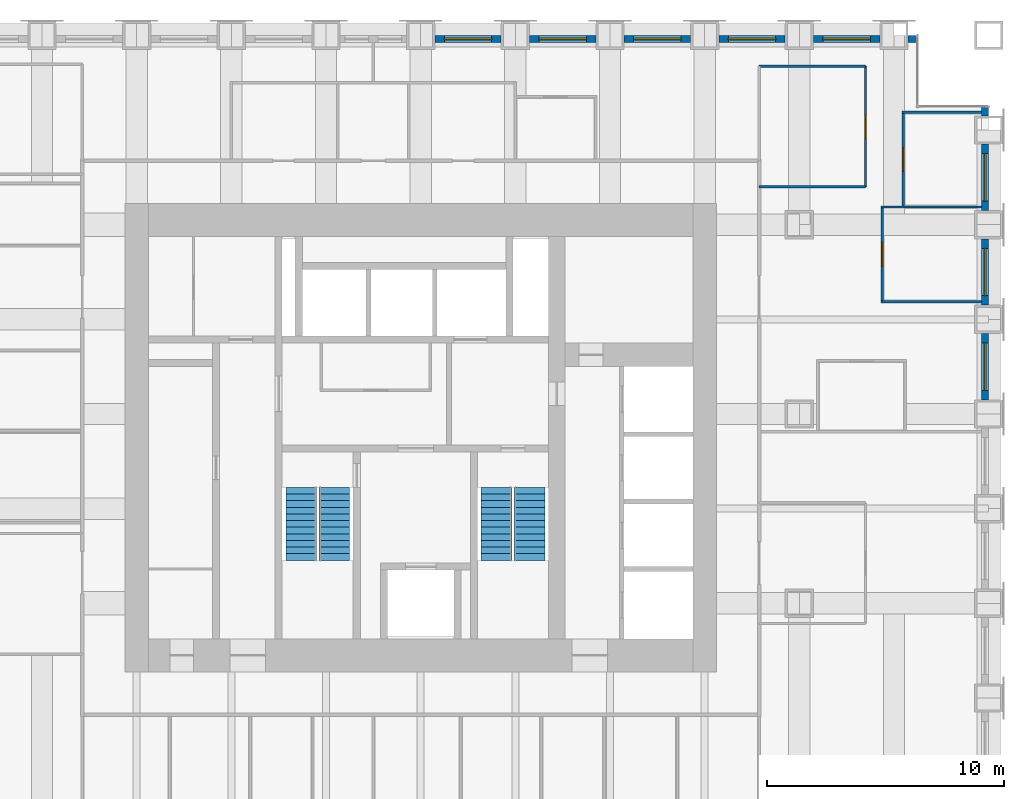
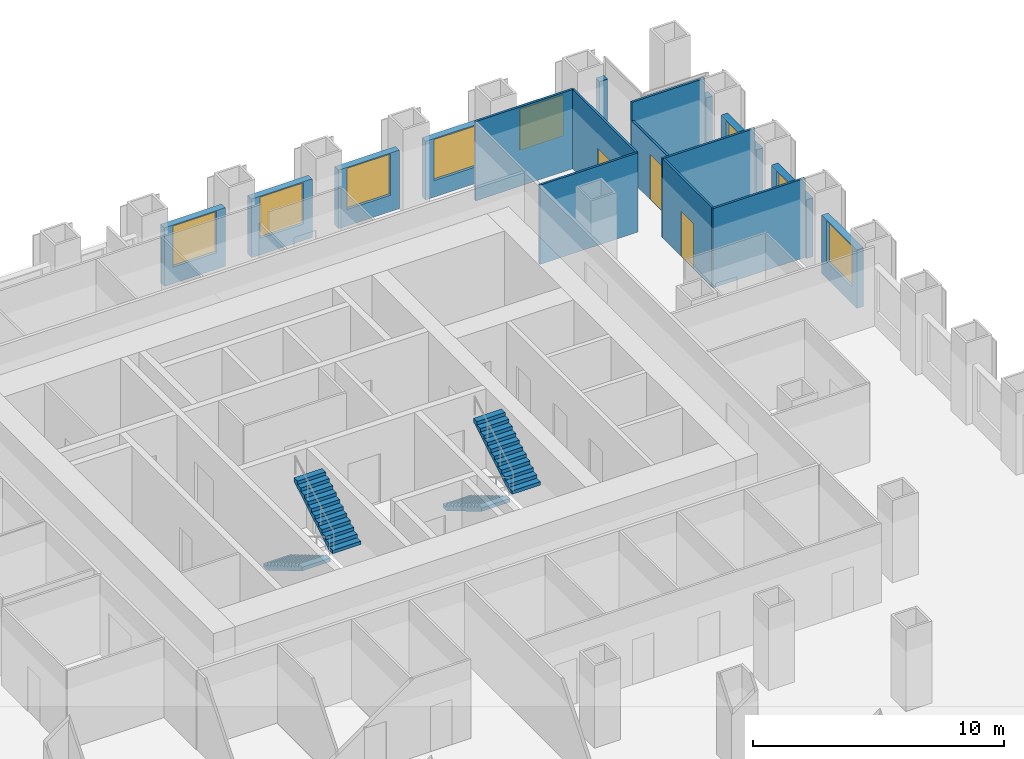
# One storey, part 13 of 15: 18 walls, 8 windows, 4 stair flights, 3 doors, 11 openings, 2 elements without a shape of their own.
"""IFC4 building model written with IfcOpenShell, lengths in metres."""

from ifc_helpers import new_model, si_unit, direction, frame, frame_2d, origin, place, context, subcontext, project, spatial, polyline, rectangle, outline, extrude, material, layer, layer_set, type_object, element, fill, aggregate, save


model = new_model("IFC4")

# Units and contexts
model_context = context("Model", 3, precision=1e-05, world=origin(), true_north=direction((0.0, 1.0)))
body_context = subcontext(model_context, "Body", "Model", "MODEL_VIEW")
ifc_project = project(units=[si_unit("LENGTHUNIT", "METRE"), si_unit("AREAUNIT", "SQUARE_METRE"), si_unit("VOLUMEUNIT", "CUBIC_METRE"), si_unit("PLANEANGLEUNIT", "RADIAN"), si_unit("MASSUNIT", "GRAM", prefix="KILO")], contexts=[model_context])

# Site, building, storey
site_placement = place(None, origin())
site = spatial("IfcSite", under=ifc_project, at=site_placement, CompositionType="ELEMENT")
building_placement = place(site_placement, origin())
building = spatial("IfcBuilding", under=site, at=building_placement, Name="Rimbunsela Tower", CompositionType="ELEMENT")
storey_placement = place(building_placement, frame((0.0, 0.0, 23.0)))
storey = spatial("IfcBuildingStorey", under=building, at=storey_placement, Name="L05", CompositionType="ELEMENT", Elevation=23.0)

# Walls
ifc_material_1 = material(Name="Gypsum board on steel studs", Category="steel")
ifc_layer_1 = layer(ifc_material_1, 0.10009765625)
ifc_layer_set_1 = layer_set([ifc_layer_1], Name="Office partition 100")
wall_type_1 = type_object("IfcWallType", Name="Office partition 100", PredefinedType="PARTITIONING", material=ifc_layer_set_1)
for number, where, z_axis, x_axis, name in (
    (1, (49.449951171875, 32.75, 0.0), (0.0, 0.0, 1.0), (1.0, 0.0, 0.0), "Office partition"),
    (2, (49.449951171875, 36.75, 0.0), (0.0, 0.0, 1.0), (1.0, 0.0, 0.0), "Office partition"),
):
    element("IfcWall", number, at=place(storey_placement, frame(where, z_axis=z_axis, x_axis=x_axis)), inside=storey, type_object=wall_type_1, Name=name, PredefinedType="PARTITIONING", context=body_context, shape_type="SweptSolid", body=[
        extrude(rectangle(XDim=4.25, YDim=0.10009765625, at=frame_2d((2.125, 0.0))), origin(), (0.0, 0.0, 1.0), 3.85009765625),
    ])
wall_1_placement = place(storey_placement, frame((50.35009765625, 40.75, 0.0), z_axis=(0.0, 0.0, 1.0), x_axis=(1.0, 0.0, 0.0)))
element("IfcWall", 3, at=wall_1_placement, inside=storey, type_object=wall_type_1, Name="Office partition", PredefinedType="PARTITIONING", context=body_context, shape_type="SweptSolid", body=[
    extrude(rectangle(XDim=3.349853515625, YDim=0.10009765625, at=frame_2d((1.6748046875, 0.0))), origin(), (0.0, 0.0, 1.0), 3.85009765625),
])

# Wall, opening, door
wall_2_placement = place(storey_placement, frame((49.5, 32.800048828125, 0.0), z_axis=(0.0, 0.0, 1.0), x_axis=(0.0, 1.0, 0.0)))
wall_2 = element("IfcWall", 4, at=wall_2_placement, inside=storey, type_object=wall_type_1, Name="Office partition", PredefinedType="PARTITIONING", context=body_context, shape_type="SweptSolid", body=[
    extrude(rectangle(XDim=3.89990234375, YDim=0.10009765625, at=frame_2d((1.949951171875, 0.0))), origin(), (0.0, 0.0, 1.0), 3.85009765625),
])
opening_1_placement = place(wall_2_placement, frame((1.449951171875, 0.0, 0.0)))
opening_1 = element("IfcOpeningElement", 5, at=opening_1_placement, cuts=wall_2, Name="Opening D16", PredefinedType="OPENING", context=body_context, shape_type="SweptSolid", body=[
    extrude(rectangle(XDim=1.0, YDim=2.199951171875, at=frame_2d((0.5, 1.10009765625))), frame((0.0, 0.06005859375, 0.0), z_axis=(0.0, -1.0, 0.0), x_axis=(1.0, 0.0, 0.0)), (0.0, 0.0, 1.0), 0.1201171875),
])
ifc_material_2 = material(Name="Timber door", Category="wood")
door_type_1 = type_object("IfcDoorType", Name="Office door 1000", OperationType="SINGLE_SWING_LEFT", PredefinedType="DOOR", material=ifc_material_2)
door_1_placement = place(opening_1_placement, origin())
door_1 = element("IfcDoor", 6, at=door_1_placement, inside=storey, type_object=door_type_1, Name="Office door", OperationType="SINGLE_SWING_LEFT", OverallHeight=2.199951171875, OverallWidth=1.0, PredefinedType="DOOR", context=body_context, shape_type="SweptSolid", body=[
    extrude(rectangle(XDim=1.0, YDim=2.199951171875, at=frame_2d((0.5, 1.10009765625))), frame((0.0, 0.02490234375, 0.0), z_axis=(0.0, -1.0, 0.0), x_axis=(1.0, 0.0, 0.0)), (0.0, 0.0, 1.0), 0.050048828125),
])
fill(opening_1, door_1)

wall_3_placement = place(storey_placement, frame((50.39990234375, 36.800048828125, 0.0), z_axis=(0.0, 0.0, 1.0), x_axis=(0.0, 1.0, 0.0)))
wall_3 = element("IfcWall", 7, at=wall_3_placement, inside=storey, type_object=wall_type_1, Name="Office partition", PredefinedType="PARTITIONING", context=body_context, shape_type="SweptSolid", body=[
    extrude(rectangle(XDim=3.949951171875, YDim=0.10009765625, at=frame_2d((1.97509765625, 0.0))), origin(), (0.0, 0.0, 1.0), 2.949951171875),
])
opening_2_placement = place(wall_3_placement, frame((1.449951171875, 0.0, 0.0)))
opening_2 = element("IfcOpeningElement", 8, at=opening_2_placement, cuts=wall_3, Name="Opening D16", PredefinedType="OPENING", context=body_context, shape_type="SweptSolid", body=[
    extrude(rectangle(XDim=1.0, YDim=2.199951171875, at=frame_2d((0.5, 1.10009765625))), frame((0.0, 0.06005859375, 0.0), z_axis=(0.0, -1.0, 0.0), x_axis=(1.0, 0.0, 0.0)), (0.0, 0.0, 1.0), 0.1201171875),
])
door_2_placement = place(opening_2_placement, origin())
door_2 = element("IfcDoor", 9, at=door_2_placement, inside=storey, type_object=door_type_1, Name="Office door", OperationType="SINGLE_SWING_LEFT", OverallHeight=2.199951171875, OverallWidth=1.0, PredefinedType="DOOR", context=body_context, shape_type="SweptSolid", body=[
    extrude(rectangle(XDim=1.0, YDim=2.199951171875, at=frame_2d((0.5, 1.10009765625))), frame((0.0, 0.02490234375, 0.0), z_axis=(0.0, -1.0, 0.0), x_axis=(1.0, 0.0, 0.0)), (0.0, 0.0, 1.0), 0.050048828125),
])
fill(opening_2, door_2)

# Wall
wall_4_placement = place(storey_placement, frame((44.300048828125, 37.60009765625, 0.0), z_axis=(0.0, 0.0, 1.0), x_axis=(1.0, 0.0, 0.0)))
element("IfcWall", 10, at=wall_4_placement, inside=storey, type_object=wall_type_1, Name="Office partition", PredefinedType="PARTITIONING", context=body_context, shape_type="SweptSolid", body=[
    extrude(rectangle(XDim=4.5, YDim=0.10009765625, at=frame_2d((2.25, 0.0))), origin(), (0.0, 0.0, 1.0), 3.85009765625),
])

# Wall, opening, door
wall_5_placement = place(storey_placement, frame((48.800048828125, 37.60009765625, 0.0), z_axis=(0.0, 0.0, 1.0), x_axis=(0.0, 1.0, 0.0)))
wall_5 = element("IfcWall", 11, at=wall_5_placement, inside=storey, type_object=wall_type_1, Name="Office partition", PredefinedType="PARTITIONING", context=body_context, shape_type="SweptSolid", body=[
    extrude(rectangle(XDim=5.099853515625, YDim=0.10009765625, at=frame_2d((2.5498046875, 0.0))), origin(), (0.0, 0.0, 1.0), 3.85009765625),
])
opening_3_placement = place(wall_5_placement, frame((2.050048828125, 0.0, 0.0)))
opening_3 = element("IfcOpeningElement", 12, at=opening_3_placement, cuts=wall_5, Name="Opening D17", PredefinedType="OPENING", context=body_context, shape_type="SweptSolid", body=[
    extrude(rectangle(XDim=1.0, YDim=2.199951171875, at=frame_2d((0.5, 1.10009765625))), frame((0.0, 0.06005859375, 0.0), z_axis=(0.0, -1.0, 0.0), x_axis=(1.0, 0.0, 0.0)), (0.0, 0.0, 1.0), 0.1201171875),
])
ifc_material_3 = material(Name="Glazed aluminium door", Category="aluminium")
door_type_2 = type_object("IfcDoorType", Name="Meeting room door 1000 glazed", OperationType="SINGLE_SWING_RIGHT", PredefinedType="DOOR", material=ifc_material_3)
door_3_placement = place(opening_3_placement, origin())
door_3 = element("IfcDoor", 13, at=door_3_placement, inside=storey, type_object=door_type_2, Name="Reception door", OperationType="SINGLE_SWING_RIGHT", OverallHeight=2.199951171875, OverallWidth=1.0, PredefinedType="DOOR", context=body_context, shape_type="SweptSolid", body=[
    extrude(rectangle(XDim=1.0, YDim=2.199951171875, at=frame_2d((0.5, 1.10009765625))), frame((0.0, 0.02490234375, 0.0), z_axis=(0.0, -1.0, 0.0), x_axis=(1.0, 0.0, 0.0)), (0.0, 0.0, 1.0), 0.050048828125),
])
fill(opening_3, door_3)

# Wall
wall_6_placement = place(storey_placement, frame((48.800048828125, 42.699951171875, 0.0), z_axis=(0.0, 0.0, 1.0), x_axis=(-1.0, 0.0, 0.0)))
element("IfcWall", 14, at=wall_6_placement, inside=storey, type_object=wall_type_1, Name="Office partition", PredefinedType="PARTITIONING", context=body_context, shape_type="SweptSolid", body=[
    extrude(rectangle(XDim=4.5, YDim=0.10009765625, at=frame_2d((2.25, 0.0))), origin(), (0.0, 0.0, 1.0), 3.85009765625),
])

# Wall, opening, window
ifc_material_4 = material(Name="Precast concrete fc' 35 MPa", Category="concrete")
ifc_layer_2 = layer(ifc_material_4, 0.300048828125)
ifc_layer_set_2 = layer_set([ifc_layer_2], Name="Precast concrete fc' 35 MPa")
wall_type_2 = type_object("IfcWallType", Name="Precast facade panel 300", PredefinedType="ELEMENTEDWALL", material=ifc_layer_set_2)
wall_7_placement = place(storey_placement, frame((53.85009765625, 28.60009765625, 0.0), z_axis=(0.0, 0.0, 1.0), x_axis=(0.0, 1.0, 0.0)))
wall_7 = element("IfcWall", 15, at=wall_7_placement, inside=storey, type_object=wall_type_2, Name="Facade panel E L05", PredefinedType="ELEMENTEDWALL", context=body_context, shape_type="SweptSolid", body=[
    extrude(rectangle(XDim=2.7998046875, YDim=0.300048828125, at=frame_2d((1.39990234375, 0.0))), origin(), (0.0, 0.0, 1.0), 2.85009765625),
])
opening_4_placement = place(wall_7_placement, frame((0.39990234375, 0.0, 0.800048828125)))
opening_4 = element("IfcOpeningElement", 16, at=opening_4_placement, cuts=wall_7, Name="Opening W1", PredefinedType="OPENING", context=body_context, shape_type="SweptSolid", body=[
    extrude(rectangle(XDim=2.0, YDim=2.0, at=frame_2d((1.0, 1.0))), frame((0.0, 0.159912109375, 0.0), z_axis=(0.0, -1.0, 0.0), x_axis=(1.0, 0.0, 0.0)), (0.0, 0.0, 1.0), 0.320068359375),
])
ifc_material_5 = material(Name="Clear glass in aluminium frame", Category="aluminium")
window_type = type_object("IfcWindowType", Name="Window W1 2000x2000", PartitioningType="DOUBLE_PANEL_VERTICAL", PredefinedType="WINDOW", material=ifc_material_5)
window_1_placement = place(opening_4_placement, origin())
window_1 = element("IfcWindow", 17, at=window_1_placement, inside=storey, type_object=window_type, Name="Window L05", OverallHeight=2.0, OverallWidth=2.0, PartitioningType="SINGLE_PANEL", PredefinedType="WINDOW", context=body_context, shape_type="SweptSolid", body=[
    extrude(rectangle(XDim=2.0, YDim=2.0, at=frame_2d((1.0, 1.0))), frame((0.0, 0.030029296875, 0.0), z_axis=(0.0, -1.0, 0.0), x_axis=(1.0, 0.0, 0.0)), (0.0, 0.0, 1.0), 0.06005859375),
])
fill(opening_4, window_1)

wall_8_placement = place(storey_placement, frame((53.85009765625, 32.60009765625, 0.0), z_axis=(0.0, 0.0, 1.0), x_axis=(0.0, 1.0, 0.0)))
wall_8 = element("IfcWall", 18, at=wall_8_placement, inside=storey, type_object=wall_type_2, Name="Facade panel E L05", PredefinedType="ELEMENTEDWALL", context=body_context, shape_type="SweptSolid", body=[
    extrude(rectangle(XDim=2.7998046875, YDim=0.300048828125, at=frame_2d((1.39990234375, 0.0))), origin(), (0.0, 0.0, 1.0), 2.85009765625),
])
opening_5_placement = place(wall_8_placement, frame((0.39990234375, 0.0, 0.800048828125)))
opening_5 = element("IfcOpeningElement", 19, at=opening_5_placement, cuts=wall_8, Name="Opening W1", PredefinedType="OPENING", context=body_context, shape_type="SweptSolid", body=[
    extrude(rectangle(XDim=2.0, YDim=2.0, at=frame_2d((1.0, 1.0))), frame((0.0, 0.159912109375, 0.0), z_axis=(0.0, -1.0, 0.0), x_axis=(1.0, 0.0, 0.0)), (0.0, 0.0, 1.0), 0.320068359375),
])
window_2_placement = place(opening_5_placement, origin())
window_2 = element("IfcWindow", 20, at=window_2_placement, inside=storey, type_object=window_type, Name="Window L05", OverallHeight=2.0, OverallWidth=2.0, PartitioningType="SINGLE_PANEL", PredefinedType="WINDOW", context=body_context, shape_type="SweptSolid", body=[
    extrude(rectangle(XDim=2.0, YDim=2.0, at=frame_2d((1.0, 1.0))), frame((0.0, 0.030029296875, 0.0), z_axis=(0.0, -1.0, 0.0), x_axis=(1.0, 0.0, 0.0)), (0.0, 0.0, 1.0), 0.06005859375),
])
fill(opening_5, window_2)

wall_9_placement = place(storey_placement, frame((53.85009765625, 36.60009765625, 0.0), z_axis=(0.0, 0.0, 1.0), x_axis=(0.0, 1.0, 0.0)))
wall_9 = element("IfcWall", 21, at=wall_9_placement, inside=storey, type_object=wall_type_2, Name="Facade panel E L05", PredefinedType="ELEMENTEDWALL", context=body_context, shape_type="SweptSolid", body=[
    extrude(rectangle(XDim=2.7998046875, YDim=0.300048828125, at=frame_2d((1.39990234375, 0.0))), origin(), (0.0, 0.0, 1.0), 2.85009765625),
])
opening_6_placement = place(wall_9_placement, frame((0.39990234375, 0.0, 0.800048828125)))
opening_6 = element("IfcOpeningElement", 22, at=opening_6_placement, cuts=wall_9, Name="Opening W1", PredefinedType="OPENING", context=body_context, shape_type="SweptSolid", body=[
    extrude(rectangle(XDim=2.0, YDim=2.0, at=frame_2d((1.0, 1.0))), frame((0.0, 0.159912109375, 0.0), z_axis=(0.0, -1.0, 0.0), x_axis=(1.0, 0.0, 0.0)), (0.0, 0.0, 1.0), 0.320068359375),
])
window_3_placement = place(opening_6_placement, origin())
window_3 = element("IfcWindow", 23, at=window_3_placement, inside=storey, type_object=window_type, Name="Window L05", OverallHeight=2.0, OverallWidth=2.0, PartitioningType="SINGLE_PANEL", PredefinedType="WINDOW", context=body_context, shape_type="SweptSolid", body=[
    extrude(rectangle(XDim=2.0, YDim=2.0, at=frame_2d((1.0, 1.0))), frame((0.0, 0.030029296875, 0.0), z_axis=(0.0, -1.0, 0.0), x_axis=(1.0, 0.0, 0.0)), (0.0, 0.0, 1.0), 0.06005859375),
])
fill(opening_6, window_3)

# Wall
wall_10_placement = place(storey_placement, frame((53.85009765625, 40.60009765625, 0.0), z_axis=(0.0, 0.0, 1.0), x_axis=(0.0, 1.0, 0.0)))
element("IfcWall", 24, at=wall_10_placement, inside=storey, type_object=wall_type_2, Name="Facade panel E L05", PredefinedType="ELEMENTEDWALL", context=body_context, shape_type="SweptSolid", body=[
    extrude(rectangle(XDim=0.369873046875, YDim=0.300048828125, at=frame_2d((0.18505859375, 0.0))), origin(), (0.0, 0.0, 1.0), 2.949951171875),
])

# Wall, opening, window
wall_11_placement = place(storey_placement, frame((33.39990234375, 43.85009765625, 0.0), z_axis=(0.0, 0.0, 1.0), x_axis=(-1.0, 0.0, 0.0)))
wall_11 = element("IfcWall", 25, at=wall_11_placement, inside=storey, type_object=wall_type_2, Name="Facade panel N L05", PredefinedType="ELEMENTEDWALL", context=body_context, shape_type="SweptSolid", body=[
    extrude(rectangle(XDim=2.7998046875, YDim=0.300048828125, at=frame_2d((1.39990234375, 0.0))), origin(), (0.0, 0.0, 1.0), 2.85009765625),
])
opening_7_placement = place(wall_11_placement, frame((0.39990234375, 0.0, 0.800048828125)))
opening_7 = element("IfcOpeningElement", 26, at=opening_7_placement, cuts=wall_11, Name="Opening W1", PredefinedType="OPENING", context=body_context, shape_type="SweptSolid", body=[
    extrude(rectangle(XDim=2.0, YDim=2.0, at=frame_2d((1.0, 1.0))), frame((0.0, 0.159912109375, 0.0), z_axis=(0.0, -1.0, 0.0), x_axis=(1.0, 0.0, 0.0)), (0.0, 0.0, 1.0), 0.320068359375),
])
window_4_placement = place(opening_7_placement, origin())
window_4 = element("IfcWindow", 27, at=window_4_placement, inside=storey, type_object=window_type, Name="Window L05", OverallHeight=2.0, OverallWidth=2.0, PartitioningType="SINGLE_PANEL", PredefinedType="WINDOW", context=body_context, shape_type="SweptSolid", body=[
    extrude(rectangle(XDim=2.0, YDim=2.0, at=frame_2d((1.0, 1.0))), frame((0.0, 0.030029296875, 0.0), z_axis=(0.0, -1.0, 0.0), x_axis=(1.0, 0.0, 0.0)), (0.0, 0.0, 1.0), 0.06005859375),
])
fill(opening_7, window_4)

wall_12_placement = place(storey_placement, frame((37.39990234375, 43.85009765625, 0.0), z_axis=(0.0, 0.0, 1.0), x_axis=(-1.0, 0.0, 0.0)))
wall_12 = element("IfcWall", 28, at=wall_12_placement, inside=storey, type_object=wall_type_2, Name="Facade panel N L05", PredefinedType="ELEMENTEDWALL", context=body_context, shape_type="SweptSolid", body=[
    extrude(rectangle(XDim=2.7998046875, YDim=0.300048828125, at=frame_2d((1.39990234375, 0.0))), origin(), (0.0, 0.0, 1.0), 2.85009765625),
])
opening_8_placement = place(wall_12_placement, frame((0.39990234375, 0.0, 0.800048828125)))
opening_8 = element("IfcOpeningElement", 29, at=opening_8_placement, cuts=wall_12, Name="Opening W1", PredefinedType="OPENING", context=body_context, shape_type="SweptSolid", body=[
    extrude(rectangle(XDim=2.0, YDim=2.0, at=frame_2d((1.0, 1.0))), frame((0.0, 0.159912109375, 0.0), z_axis=(0.0, -1.0, 0.0), x_axis=(1.0, 0.0, 0.0)), (0.0, 0.0, 1.0), 0.320068359375),
])
window_5_placement = place(opening_8_placement, origin())
window_5 = element("IfcWindow", 30, at=window_5_placement, inside=storey, type_object=window_type, Name="Window L05", OverallHeight=2.0, OverallWidth=2.0, PartitioningType="SINGLE_PANEL", PredefinedType="WINDOW", context=body_context, shape_type="SweptSolid", body=[
    extrude(rectangle(XDim=2.0, YDim=2.0, at=frame_2d((1.0, 1.0))), frame((0.0, 0.030029296875, 0.0), z_axis=(0.0, -1.0, 0.0), x_axis=(1.0, 0.0, 0.0)), (0.0, 0.0, 1.0), 0.06005859375),
])
fill(opening_8, window_5)

wall_13_placement = place(storey_placement, frame((41.39990234375, 43.85009765625, 0.0), z_axis=(0.0, 0.0, 1.0), x_axis=(-1.0, 0.0, 0.0)))
wall_13 = element("IfcWall", 31, at=wall_13_placement, inside=storey, type_object=wall_type_2, Name="Facade panel N L05", PredefinedType="ELEMENTEDWALL", context=body_context, shape_type="SweptSolid", body=[
    extrude(rectangle(XDim=2.7998046875, YDim=0.300048828125, at=frame_2d((1.39990234375, 0.0))), origin(), (0.0, 0.0, 1.0), 2.85009765625),
])
opening_9_placement = place(wall_13_placement, frame((0.39990234375, 0.0, 0.800048828125)))
opening_9 = element("IfcOpeningElement", 32, at=opening_9_placement, cuts=wall_13, Name="Opening W1", PredefinedType="OPENING", context=body_context, shape_type="SweptSolid", body=[
    extrude(rectangle(XDim=2.0, YDim=2.0, at=frame_2d((1.0, 1.0))), frame((0.0, 0.159912109375, 0.0), z_axis=(0.0, -1.0, 0.0), x_axis=(1.0, 0.0, 0.0)), (0.0, 0.0, 1.0), 0.320068359375),
])
window_6_placement = place(opening_9_placement, origin())
window_6 = element("IfcWindow", 33, at=window_6_placement, inside=storey, type_object=window_type, Name="Window L05", OverallHeight=2.0, OverallWidth=2.0, PartitioningType="SINGLE_PANEL", PredefinedType="WINDOW", context=body_context, shape_type="SweptSolid", body=[
    extrude(rectangle(XDim=2.0, YDim=2.0, at=frame_2d((1.0, 1.0))), frame((0.0, 0.030029296875, 0.0), z_axis=(0.0, -1.0, 0.0), x_axis=(1.0, 0.0, 0.0)), (0.0, 0.0, 1.0), 0.06005859375),
])
fill(opening_9, window_6)

wall_14_placement = place(storey_placement, frame((45.39990234375, 43.85009765625, 0.0), z_axis=(0.0, 0.0, 1.0), x_axis=(-1.0, 0.0, 0.0)))
wall_14 = element("IfcWall", 34, at=wall_14_placement, inside=storey, type_object=wall_type_2, Name="Facade panel N L05", PredefinedType="ELEMENTEDWALL", context=body_context, shape_type="SweptSolid", body=[
    extrude(rectangle(XDim=2.7998046875, YDim=0.300048828125, at=frame_2d((1.39990234375, 0.0))), origin(), (0.0, 0.0, 1.0), 2.85009765625),
])
opening_10_placement = place(wall_14_placement, frame((0.39990234375, 0.0, 0.800048828125)))
opening_10 = element("IfcOpeningElement", 35, at=opening_10_placement, cuts=wall_14, Name="Opening W1", PredefinedType="OPENING", context=body_context, shape_type="SweptSolid", body=[
    extrude(rectangle(XDim=2.0, YDim=2.0, at=frame_2d((1.0, 1.0))), frame((0.0, 0.159912109375, 0.0), z_axis=(0.0, -1.0, 0.0), x_axis=(1.0, 0.0, 0.0)), (0.0, 0.0, 1.0), 0.320068359375),
])
window_7_placement = place(opening_10_placement, origin())
window_7 = element("IfcWindow", 36, at=window_7_placement, inside=storey, type_object=window_type, Name="Window L05", OverallHeight=2.0, OverallWidth=2.0, PartitioningType="SINGLE_PANEL", PredefinedType="WINDOW", context=body_context, shape_type="SweptSolid", body=[
    extrude(rectangle(XDim=2.0, YDim=2.0, at=frame_2d((1.0, 1.0))), frame((0.0, 0.030029296875, 0.0), z_axis=(0.0, -1.0, 0.0), x_axis=(1.0, 0.0, 0.0)), (0.0, 0.0, 1.0), 0.06005859375),
])
fill(opening_10, window_7)

wall_15_placement = place(storey_placement, frame((49.39990234375, 43.85009765625, 0.0), z_axis=(0.0, 0.0, 1.0), x_axis=(-1.0, 0.0, 0.0)))
wall_15 = element("IfcWall", 37, at=wall_15_placement, inside=storey, type_object=wall_type_2, Name="Facade panel N L05", PredefinedType="ELEMENTEDWALL", context=body_context, shape_type="SweptSolid", body=[
    extrude(rectangle(XDim=2.7998046875, YDim=0.300048828125, at=frame_2d((1.39990234375, 0.0))), origin(), (0.0, 0.0, 1.0), 2.85009765625),
])
opening_11_placement = place(wall_15_placement, frame((0.39990234375, 0.0, 0.800048828125)))
opening_11 = element("IfcOpeningElement", 38, at=opening_11_placement, cuts=wall_15, Name="Opening W1", PredefinedType="OPENING", context=body_context, shape_type="SweptSolid", body=[
    extrude(rectangle(XDim=2.0, YDim=2.0, at=frame_2d((1.0, 1.0))), frame((0.0, 0.159912109375, 0.0), z_axis=(0.0, -1.0, 0.0), x_axis=(1.0, 0.0, 0.0)), (0.0, 0.0, 1.0), 0.320068359375),
])
window_8_placement = place(opening_11_placement, origin())
window_8 = element("IfcWindow", 39, at=window_8_placement, inside=storey, type_object=window_type, Name="Window L05", OverallHeight=2.0, OverallWidth=2.0, PartitioningType="SINGLE_PANEL", PredefinedType="WINDOW", context=body_context, shape_type="SweptSolid", body=[
    extrude(rectangle(XDim=2.0, YDim=2.0, at=frame_2d((1.0, 1.0))), frame((0.0, 0.030029296875, 0.0), z_axis=(0.0, -1.0, 0.0), x_axis=(1.0, 0.0, 0.0)), (0.0, 0.0, 1.0), 0.06005859375),
])
fill(opening_11, window_8)

# Wall
wall_16_placement = place(storey_placement, frame((50.969970703125, 43.85009765625, 0.0), z_axis=(0.0, 0.0, 1.0), x_axis=(-1.0, 0.0, 0.0)))
element("IfcWall", 40, at=wall_16_placement, inside=storey, type_object=wall_type_2, Name="Facade panel N L05", PredefinedType="ELEMENTEDWALL", context=body_context, shape_type="SweptSolid", body=[
    extrude(rectangle(XDim=0.369873046875, YDim=0.300048828125, at=frame_2d((0.18505859375, 0.0))), origin(), (0.0, 0.0, 1.0), 2.949951171875),
])

# Stair, stair flights
ifc_material_6 = material(Name="Concrete fc' 35 MPa", Category="concrete")
stair_type = type_object("IfcStairType", Name="Exit stair 24 risers", PredefinedType="HALF_TURN_STAIR", material=ifc_material_6)
stair_1_placement = place(storey_placement, origin())
stair_1 = element("IfcStair", 41, at=stair_1_placement, inside=storey, type_object=stair_type, Name="Exit stair A L05", PredefinedType="HALF_TURN_STAIR")
ifc_material_7 = material(Name="Concrete fc' 35 MPa", Category="concrete")
stair_flight_type = type_object("IfcStairFlightType", Name="Stair flight 12 risers 167", PredefinedType="STRAIGHT", material=ifc_material_7)
stair_flight_1_placement = place(storey_placement, frame((24.949951171875, 24.89990234375, 0.0), z_axis=(0.0, 0.0, 1.0), x_axis=(0.0, -1.0, 0.0)))
stair_flight_1 = element("IfcStairFlight", 42, at=stair_flight_1_placement, type_object=stair_flight_type, Name="ST-A flight 1", NumberOfRisers=12, NumberOfTreads=11, PredefinedType="STRAIGHT", RiserHeight=0.166666667, TreadLength=0.28, context=body_context, shape_type="SweptSolid", body=[
    extrude(outline(polyline([(0.0, 0.0), (0.0, 0.166748046875), (0.280029296875, 0.166748046875), (0.280029296875, 0.333251953125), (0.56005859375, 0.333251953125), (0.56005859375, 0.5), (0.840087890625, 0.5), (0.840087890625, 0.666748046875), (1.1201171875, 0.666748046875), (1.1201171875, 0.833251953125), (1.39990234375, 0.833251953125), (1.39990234375, 1.0), (1.679931640625, 1.0), (1.679931640625, 1.166748046875), (1.9599609375, 1.166748046875), (1.9599609375, 1.333251953125), (2.239990234375, 1.333251953125), (2.239990234375, 1.5), (2.52001953125, 1.5), (2.52001953125, 1.666748046875), (2.800048828125, 1.666748046875), (2.800048828125, 1.833251953125), (3.080078125, 1.833251953125), (3.080078125, 2.0), (3.080078125, 1.658935546875), (0.29296875, 0.0), (0.0, 0.0)])), frame((0.0, 0.64990234375, 0.0), z_axis=(0.0, -1.0, 0.0), x_axis=(1.0, 0.0, 0.0)), (0.0, 0.0, 1.0), 1.300048828125),
])
stair_flight_2_placement = place(storey_placement, frame((26.35009765625, 21.820068359375, 2.0), z_axis=(0.0, 0.0, 1.0), x_axis=(0.0, 1.0, 0.0)))
stair_flight_2 = element("IfcStairFlight", 43, at=stair_flight_2_placement, type_object=stair_flight_type, Name="ST-A flight 2", NumberOfRisers=12, NumberOfTreads=11, PredefinedType="STRAIGHT", RiserHeight=0.166666667, TreadLength=0.28, context=body_context, shape_type="SweptSolid", body=[
    extrude(outline(polyline([(0.0, 0.0), (0.0, 0.166748046875), (0.280029296875, 0.166748046875), (0.280029296875, 0.333251953125), (0.56005859375, 0.333251953125), (0.56005859375, 0.5), (0.840087890625, 0.5), (0.840087890625, 0.666748046875), (1.1201171875, 0.666748046875), (1.1201171875, 0.833251953125), (1.39990234375, 0.833251953125), (1.39990234375, 1.0), (1.679931640625, 1.0), (1.679931640625, 1.166748046875), (1.9599609375, 1.166748046875), (1.9599609375, 1.333251953125), (2.239990234375, 1.333251953125), (2.239990234375, 1.5), (2.52001953125, 1.5), (2.52001953125, 1.666748046875), (2.800048828125, 1.666748046875), (2.800048828125, 1.833251953125), (3.080078125, 1.833251953125), (3.080078125, 2.0), (3.080078125, 1.658935546875), (0.29296875, 0.0), (0.0, 0.0)])), frame((0.0, 0.64990234375, 0.0), z_axis=(0.0, -1.0, 0.0), x_axis=(1.0, 0.0, 0.0)), (0.0, 0.0, 1.0), 1.300048828125),
])
aggregate(stair_1, [stair_flight_1, stair_flight_2])

stair_2_placement = place(storey_placement, origin())
stair_2 = element("IfcStair", 44, at=stair_2_placement, inside=storey, type_object=stair_type, Name="Exit stair B L05", PredefinedType="HALF_TURN_STAIR")
stair_flight_3_placement = place(storey_placement, frame((33.199951171875, 24.89990234375, 0.0), z_axis=(0.0, 0.0, 1.0), x_axis=(0.0, -1.0, 0.0)))
stair_flight_3 = element("IfcStairFlight", 45, at=stair_flight_3_placement, type_object=stair_flight_type, Name="ST-B flight 1", NumberOfRisers=12, NumberOfTreads=11, PredefinedType="STRAIGHT", RiserHeight=0.166666667, TreadLength=0.28, context=body_context, shape_type="SweptSolid", body=[
    extrude(outline(polyline([(0.0, 0.0), (0.0, 0.166748046875), (0.280029296875, 0.166748046875), (0.280029296875, 0.333251953125), (0.56005859375, 0.333251953125), (0.56005859375, 0.5), (0.840087890625, 0.5), (0.840087890625, 0.666748046875), (1.1201171875, 0.666748046875), (1.1201171875, 0.833251953125), (1.39990234375, 0.833251953125), (1.39990234375, 1.0), (1.679931640625, 1.0), (1.679931640625, 1.166748046875), (1.9599609375, 1.166748046875), (1.9599609375, 1.333251953125), (2.239990234375, 1.333251953125), (2.239990234375, 1.5), (2.52001953125, 1.5), (2.52001953125, 1.666748046875), (2.800048828125, 1.666748046875), (2.800048828125, 1.833251953125), (3.080078125, 1.833251953125), (3.080078125, 2.0), (3.080078125, 1.658935546875), (0.29296875, 0.0), (0.0, 0.0)])), frame((0.0, 0.64990234375, 0.0), z_axis=(0.0, -1.0, 0.0), x_axis=(1.0, 0.0, 0.0)), (0.0, 0.0, 1.0), 1.300048828125),
])
stair_flight_4_placement = place(storey_placement, frame((34.60009765625, 21.820068359375, 2.0), z_axis=(0.0, 0.0, 1.0), x_axis=(0.0, 1.0, 0.0)))
stair_flight_4 = element("IfcStairFlight", 46, at=stair_flight_4_placement, type_object=stair_flight_type, Name="ST-B flight 2", NumberOfRisers=12, NumberOfTreads=11, PredefinedType="STRAIGHT", RiserHeight=0.166666667, TreadLength=0.28, context=body_context, shape_type="SweptSolid", body=[
    extrude(outline(polyline([(0.0, 0.0), (0.0, 0.166748046875), (0.280029296875, 0.166748046875), (0.280029296875, 0.333251953125), (0.56005859375, 0.333251953125), (0.56005859375, 0.5), (0.840087890625, 0.5), (0.840087890625, 0.666748046875), (1.1201171875, 0.666748046875), (1.1201171875, 0.833251953125), (1.39990234375, 0.833251953125), (1.39990234375, 1.0), (1.679931640625, 1.0), (1.679931640625, 1.166748046875), (1.9599609375, 1.166748046875), (1.9599609375, 1.333251953125), (2.239990234375, 1.333251953125), (2.239990234375, 1.5), (2.52001953125, 1.5), (2.52001953125, 1.666748046875), (2.800048828125, 1.666748046875), (2.800048828125, 1.833251953125), (3.080078125, 1.833251953125), (3.080078125, 2.0), (3.080078125, 1.658935546875), (0.29296875, 0.0), (0.0, 0.0)])), frame((0.0, 0.64990234375, 0.0), z_axis=(0.0, -1.0, 0.0), x_axis=(1.0, 0.0, 0.0)), (0.0, 0.0, 1.0), 1.300048828125),
])
aggregate(stair_2, [stair_flight_3, stair_flight_4])

save(model, "model.ifc")
